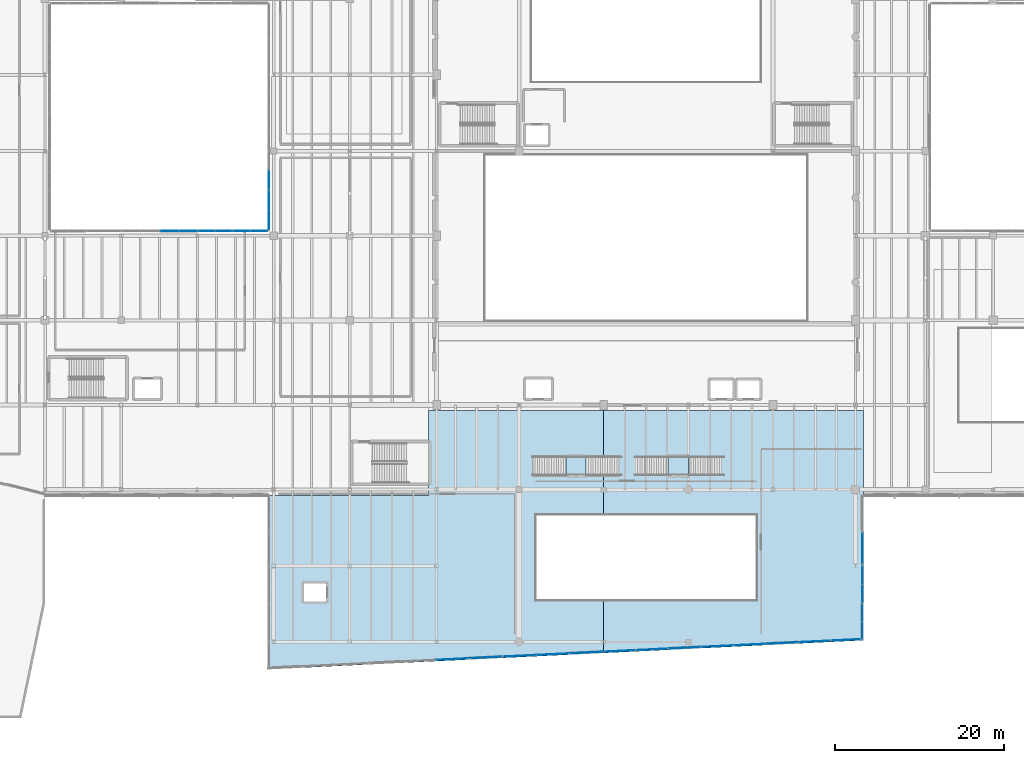
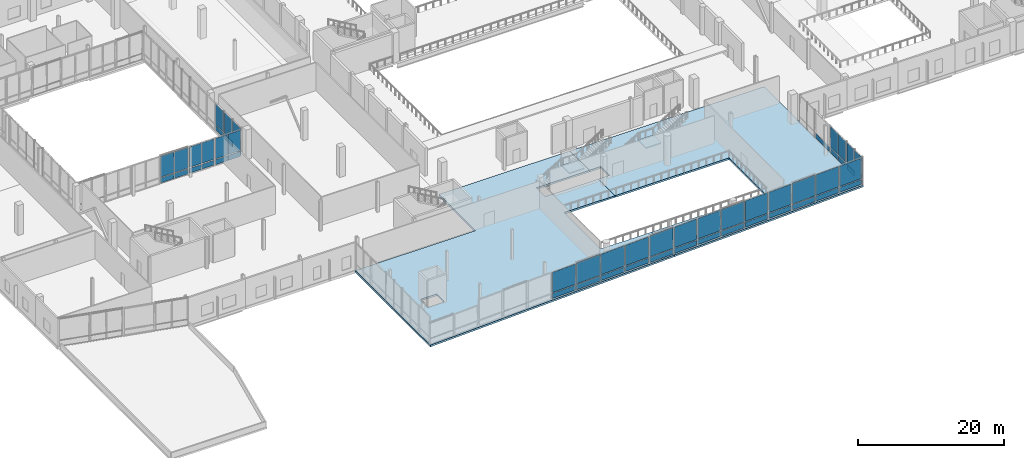
# One storey, part 52 of 81: 53 plates, 4 slabs, 23 elements without a shape of their own.
"""IFC4 building model written with IfcOpenShell, lengths in metres."""

from ifc_helpers import new_model, si_unit, direction, frame, origin, origin_2d, place, context, subcontext, project, spatial, polyline, rectangle, outline, extrude, material, layer, layer_set, type_object, element, aggregate, save


model = new_model("IFC4")

# Units and contexts
model_context = context("Model", 3, precision=1e-05, world=origin(), true_north=direction((0.0, 1.0)))
body_context = subcontext(model_context, "Body", "Model", "MODEL_VIEW")
ifc_project = project(units=[si_unit("LENGTHUNIT", "METRE"), si_unit("AREAUNIT", "SQUARE_METRE"), si_unit("VOLUMEUNIT", "CUBIC_METRE"), si_unit("PLANEANGLEUNIT", "RADIAN"), si_unit("MASSUNIT", "GRAM", prefix="KILO")], contexts=[model_context])

# Site, building, storey
site_placement = place(None, origin())
site = spatial("IfcSite", under=ifc_project, at=site_placement, CompositionType="ELEMENT")
building_placement = place(site_placement, origin())
building = spatial("IfcBuilding", under=site, at=building_placement, Name="Trimount Lyric Opera House", CompositionType="ELEMENT")
storey_placement = place(building_placement, frame((0.0, 0.0, 5.0)))
storey = spatial("IfcBuildingStorey", under=building, at=storey_placement, Name="L01", CompositionType="ELEMENT", Elevation=5.0)

# Curtain wall, plate
ifc_material_1 = material(Name="Thermally Broken Aluminium and Low-E Glass", Category="aluminium")
curtain_wall_type_1 = type_object("IfcCurtainWallType", Name="CW-01", PredefinedType="NOTDEFINED", material=ifc_material_1)
curtain_wall_1_placement = place(storey_placement, origin())
curtain_wall_1 = element("IfcCurtainWall", 1, at=curtain_wall_1_placement, inside=storey, type_object=curtain_wall_type_1, Name="L01 curtain wall 090", PredefinedType="NOTDEFINED")
ifc_material_2 = material(Name="Triple Low-E Acoustic Laminated Glass", Category="glass")
ifc_layer_1 = layer(ifc_material_2, 0.035888671875)
ifc_layer_set_1 = layer_set([ifc_layer_1], Name="CWP-01")
plate_type_1 = type_object("IfcPlateType", Name="CWP-01", PredefinedType="CURTAIN_PANEL", material=ifc_layer_set_1)
plate_1_placement = place(storey_placement, frame((114.5400390625, 37.074951171875, 0.159912109375), z_axis=(0.0, 0.0, 1.0), x_axis=(0.0, -1.0, 0.0)))
plate_1 = element("IfcPlate", 2, at=plate_1_placement, type_object=plate_type_1, Name="CW-01 panel 1.1", PredefinedType="CURTAIN_PANEL", context=body_context, shape_type="SweptSolid", body=[
    extrude(rectangle(XDim=3.85009765625, YDim=0.035888671875, at=origin_2d()), origin(), (0.0, 0.0, 1.0), 0.81005859375),
])
aggregate(curtain_wall_1, [plate_1])

# Curtain wall, plates
curtain_wall_2_placement = place(storey_placement, origin())
curtain_wall_2 = element("IfcCurtainWall", 3, at=curtain_wall_2_placement, inside=storey, type_object=curtain_wall_type_1, Name="L01 curtain wall 091", PredefinedType="NOTDEFINED")
plate_2_placement = place(storey_placement, frame((114.5400390625, 33.876220703125, 0.13525390625), z_axis=(0.0, 0.0, 1.0), x_axis=(0.0, -1.0, 0.0)))
plate_2 = element("IfcPlate", 4, at=plate_2_placement, type_object=plate_type_1, Name="CW-01 panel 1.1", PredefinedType="CURTAIN_PANEL", context=body_context, shape_type="SweptSolid", body=[
    extrude(rectangle(XDim=2.097412109375, YDim=0.035888671875, at=origin_2d()), origin(), (0.0, 0.0, 1.0), 0.847412109375),
])
plate_3_placement = place(storey_placement, frame((114.5400390625, 31.7138671875, 0.13525390625), z_axis=(0.0, 0.0, 1.0), x_axis=(0.0, -1.0, 0.0)))
plate_3 = element("IfcPlate", 5, at=plate_3_placement, type_object=plate_type_1, Name="CW-01 panel 2.1", PredefinedType="CURTAIN_PANEL", context=body_context, shape_type="SweptSolid", body=[
    extrude(rectangle(XDim=2.097412109375, YDim=0.035888671875, at=origin_2d()), origin(), (0.0, 0.0, 1.0), 0.847412109375),
])

curtain_wall_3_placement = place(storey_placement, origin())
curtain_wall_3 = element("IfcCurtainWall", 6, at=curtain_wall_3_placement, inside=storey, type_object=curtain_wall_type_1, Name="L01 curtain wall 092", PredefinedType="NOTDEFINED")
plate_4_placement = place(storey_placement, frame((114.5400390625, 29.41748046875, 0.114990234375), z_axis=(0.0, 0.0, 1.0), x_axis=(0.0, -1.0, 0.0)))
plate_4 = element("IfcPlate", 7, at=plate_4_placement, type_object=plate_type_1, Name="CW-01 panel 1.1", PredefinedType="CURTAIN_PANEL", context=body_context, shape_type="SweptSolid", body=[
    extrude(rectangle(XDim=2.06494140625, YDim=0.035888671875, at=origin_2d()), origin(), (0.0, 0.0, 1.0), 0.87744140625),
])
plate_5_placement = place(storey_placement, frame((114.5400390625, 27.29248046875, 0.114990234375), z_axis=(0.0, 0.0, 1.0), x_axis=(0.0, -1.0, 0.0)))
plate_5 = element("IfcPlate", 8, at=plate_5_placement, type_object=plate_type_1, Name="CW-01 panel 2.1", PredefinedType="CURTAIN_PANEL", context=body_context, shape_type="SweptSolid", body=[
    extrude(rectangle(XDim=2.06494140625, YDim=0.035888671875, at=origin_2d()), origin(), (0.0, 0.0, 1.0), 0.87744140625),
])

# Curtain wall, plate
curtain_wall_4_placement = place(storey_placement, origin())
curtain_wall_4 = element("IfcCurtainWall", 9, at=curtain_wall_4_placement, inside=storey, type_object=curtain_wall_type_1, Name="L01 curtain wall 093", PredefinedType="NOTDEFINED")
plate_6_placement = place(storey_placement, frame((112.64404296875, 26.240966796875, 0.159912109375), z_axis=(0.0, 0.0, 1.0), x_axis=(-0.998814975449, -0.048668725272, 0.0)))
plate_6 = element("IfcPlate", 10, at=plate_6_placement, type_object=plate_type_1, Name="CW-01 panel 1.1", PredefinedType="CURTAIN_PANEL", context=body_context, shape_type="SweptSolid", body=[
    extrude(rectangle(XDim=3.476318359375, YDim=0.035888671875, at=origin_2d()), origin(), (0.0, 0.0, 1.0), 0.81005859375),
])

curtain_wall_5_placement = place(storey_placement, origin())
curtain_wall_5 = element("IfcCurtainWall", 11, at=curtain_wall_5_placement, inside=storey, type_object=curtain_wall_type_1, Name="L01 curtain wall 094", PredefinedType="NOTDEFINED")
plate_7_placement = place(storey_placement, frame((108.87548828125, 26.056884765625, 0.13525390625), z_axis=(0.0, 0.0, 1.0), x_axis=(-0.99882119848, -0.048540843291, 0.0)))
plate_7 = element("IfcPlate", 12, at=plate_7_placement, type_object=plate_type_1, Name="CW-01 panel 1.1", PredefinedType="CURTAIN_PANEL", context=body_context, shape_type="SweptSolid", body=[
    extrude(rectangle(XDim=3.619384765625, YDim=0.035888671875, at=origin_2d()), origin(), (0.0, 0.0, 1.0), 0.847412109375),
])

curtain_wall_6_placement = place(storey_placement, origin())
curtain_wall_6 = element("IfcCurtainWall", 13, at=curtain_wall_6_placement, inside=storey, type_object=curtain_wall_type_1, Name="L01 curtain wall 095", PredefinedType="NOTDEFINED")
plate_8_placement = place(storey_placement, frame((105.04052734375, 25.869384765625, 0.114990234375), z_axis=(0.0, 0.0, 1.0), x_axis=(-0.998808232241, -0.048806917619, 0.0)))
plate_8 = element("IfcPlate", 14, at=plate_8_placement, type_object=plate_type_1, Name="CW-01 panel 1.1", PredefinedType="CURTAIN_PANEL", context=body_context, shape_type="SweptSolid", body=[
    extrude(rectangle(XDim=3.62939453125, YDim=0.035888671875, at=origin_2d()), origin(), (0.0, 0.0, 1.0), 0.87744140625),
])

curtain_wall_7_placement = place(storey_placement, origin())
curtain_wall_7 = element("IfcCurtainWall", 15, at=curtain_wall_7_placement, inside=storey, type_object=curtain_wall_type_1, Name="L01 curtain wall 096", PredefinedType="NOTDEFINED")
plate_9_placement = place(storey_placement, frame((101.20556640625, 25.6826171875, 0.159912109375), z_axis=(0.0, 0.0, 1.0), x_axis=(-0.998808232241, -0.048806917619, 0.0)))
plate_9 = element("IfcPlate", 16, at=plate_9_placement, type_object=plate_type_1, Name="CW-01 panel 1.1", PredefinedType="CURTAIN_PANEL", context=body_context, shape_type="SweptSolid", body=[
    extrude(rectangle(XDim=3.609375, YDim=0.035888671875, at=origin_2d()), origin(), (0.0, 0.0, 1.0), 0.81005859375),
])

curtain_wall_8_placement = place(storey_placement, origin())
curtain_wall_8 = element("IfcCurtainWall", 17, at=curtain_wall_8_placement, inside=storey, type_object=curtain_wall_type_1, Name="L01 curtain wall 097", PredefinedType="NOTDEFINED")
plate_10_placement = place(storey_placement, frame((97.37060546875, 25.49560546875, 0.13525390625), z_axis=(0.0, 0.0, 1.0), x_axis=(-0.998808232241, -0.048806917619, 0.0)))
plate_10 = element("IfcPlate", 18, at=plate_10_placement, type_object=plate_type_1, Name="CW-01 panel 1.1", PredefinedType="CURTAIN_PANEL", context=body_context, shape_type="SweptSolid", body=[
    extrude(rectangle(XDim=3.619384765625, YDim=0.035888671875, at=origin_2d()), origin(), (0.0, 0.0, 1.0), 0.847412109375),
])

curtain_wall_9_placement = place(storey_placement, origin())
curtain_wall_9 = element("IfcCurtainWall", 19, at=curtain_wall_9_placement, inside=storey, type_object=curtain_wall_type_1, Name="L01 curtain wall 098", PredefinedType="NOTDEFINED")
plate_11_placement = place(storey_placement, frame((93.535400390625, 25.30859375, 0.114990234375), z_axis=(0.0, 0.0, 1.0), x_axis=(-0.998808232241, -0.048806917619, 0.0)))
plate_11 = element("IfcPlate", 20, at=plate_11_placement, type_object=plate_type_1, Name="CW-01 panel 1.1", PredefinedType="CURTAIN_PANEL", context=body_context, shape_type="SweptSolid", body=[
    extrude(rectangle(XDim=3.62939453125, YDim=0.035888671875, at=origin_2d()), origin(), (0.0, 0.0, 1.0), 0.87744140625),
])

curtain_wall_10_placement = place(storey_placement, origin())
curtain_wall_10 = element("IfcCurtainWall", 21, at=curtain_wall_10_placement, inside=storey, type_object=curtain_wall_type_1, Name="L01 curtain wall 099", PredefinedType="NOTDEFINED")
plate_12_placement = place(storey_placement, frame((89.700439453125, 25.12158203125, 0.159912109375), z_axis=(0.0, 0.0, 1.0), x_axis=(-0.998808232241, -0.048806917619, 0.0)))
plate_12 = element("IfcPlate", 22, at=plate_12_placement, type_object=plate_type_1, Name="CW-01 panel 1.1", PredefinedType="CURTAIN_PANEL", context=body_context, shape_type="SweptSolid", body=[
    extrude(rectangle(XDim=3.609375, YDim=0.035888671875, at=origin_2d()), origin(), (0.0, 0.0, 1.0), 0.81005859375),
])

curtain_wall_11_placement = place(storey_placement, origin())
curtain_wall_11 = element("IfcCurtainWall", 23, at=curtain_wall_11_placement, inside=storey, type_object=curtain_wall_type_1, Name="L01 curtain wall 100", PredefinedType="NOTDEFINED")
plate_13_placement = place(storey_placement, frame((85.865478515625, 24.9345703125, 0.13525390625), z_axis=(0.0, 0.0, 1.0), x_axis=(-0.998808232241, -0.048806917619, 0.0)))
plate_13 = element("IfcPlate", 24, at=plate_13_placement, type_object=plate_type_1, Name="CW-01 panel 1.1", PredefinedType="CURTAIN_PANEL", context=body_context, shape_type="SweptSolid", body=[
    extrude(rectangle(XDim=3.619384765625, YDim=0.035888671875, at=origin_2d()), origin(), (0.0, 0.0, 1.0), 0.847412109375),
])

curtain_wall_12_placement = place(storey_placement, origin())
curtain_wall_12 = element("IfcCurtainWall", 25, at=curtain_wall_12_placement, inside=storey, type_object=curtain_wall_type_1, Name="L01 curtain wall 101", PredefinedType="NOTDEFINED")
plate_14_placement = place(storey_placement, frame((81.964111328125, 24.743408203125, 0.114990234375), z_axis=(0.0, 0.0, 1.0), x_axis=(-0.998814490119, -0.048678684537, 0.0)))
plate_14 = element("IfcPlate", 26, at=plate_14_placement, type_object=plate_type_1, Name="CW-01 panel 1.1", PredefinedType="CURTAIN_PANEL", context=body_context, shape_type="SweptSolid", body=[
    extrude(rectangle(XDim=3.7626953125, YDim=0.035888671875, at=origin_2d()), origin(), (0.0, 0.0, 1.0), 0.87744140625),
])

curtain_wall_13_placement = place(storey_placement, origin())
curtain_wall_13 = element("IfcCurtainWall", 27, at=curtain_wall_13_placement, inside=storey, type_object=curtain_wall_type_1, Name="L01 curtain wall 102", PredefinedType="NOTDEFINED")
plate_15_placement = place(storey_placement, frame((77.99609375, 24.550537109375, 0.159912109375), z_axis=(0.0, 0.0, 1.0), x_axis=(-0.998814490119, -0.048678684537, 0.0)))
plate_15 = element("IfcPlate", 28, at=plate_15_placement, type_object=plate_type_1, Name="CW-01 panel 1.1", PredefinedType="CURTAIN_PANEL", context=body_context, shape_type="SweptSolid", body=[
    extrude(rectangle(XDim=3.74267578125, YDim=0.035888671875, at=origin_2d()), origin(), (0.0, 0.0, 1.0), 0.81005859375),
])

curtain_wall_14_placement = place(storey_placement, origin())
curtain_wall_14 = element("IfcCurtainWall", 29, at=curtain_wall_14_placement, inside=storey, type_object=curtain_wall_type_1, Name="L01 curtain wall 103", PredefinedType="NOTDEFINED")
plate_16_placement = place(storey_placement, frame((74.028076171875, 24.3564453125, 0.13525390625), z_axis=(0.0, 0.0, 1.0), x_axis=(-0.998814490119, -0.048678684537, 0.0)))
plate_16 = element("IfcPlate", 30, at=plate_16_placement, type_object=plate_type_1, Name="CW-01 panel 1.1", PredefinedType="CURTAIN_PANEL", context=body_context, shape_type="SweptSolid", body=[
    extrude(rectangle(XDim=3.752685546875, YDim=0.035888671875, at=origin_2d()), origin(), (0.0, 0.0, 1.0), 0.847412109375),
])

curtain_wall_15_placement = place(storey_placement, origin())
curtain_wall_15 = element("IfcCurtainWall", 31, at=curtain_wall_15_placement, inside=storey, type_object=curtain_wall_type_1, Name="L01 curtain wall 104", PredefinedType="NOTDEFINED")
plate_17_placement = place(storey_placement, frame((70.06005859375, 24.1630859375, 0.114990234375), z_axis=(0.0, 0.0, 1.0), x_axis=(-0.998801934448, -0.048935628556, 0.0)))
plate_17 = element("IfcPlate", 32, at=plate_17_placement, type_object=plate_type_1, Name="CW-01 panel 1.1", PredefinedType="CURTAIN_PANEL", context=body_context, shape_type="SweptSolid", body=[
    extrude(rectangle(XDim=3.7626953125, YDim=0.035888671875, at=origin_2d()), origin(), (0.0, 0.0, 1.0), 0.87744140625),
])

curtain_wall_16_placement = place(storey_placement, origin())
curtain_wall_16 = element("IfcCurtainWall", 33, at=curtain_wall_16_placement, inside=storey, type_object=curtain_wall_type_1, Name="L01 curtain wall 105", PredefinedType="NOTDEFINED")
plate_18_placement = place(storey_placement, frame((66.092041015625, 23.969482421875, 0.159912109375), z_axis=(0.0, 0.0, 1.0), x_axis=(-0.998814490119, -0.048678684537, 0.0)))
plate_18 = element("IfcPlate", 34, at=plate_18_placement, type_object=plate_type_1, Name="CW-01 panel 1.1", PredefinedType="CURTAIN_PANEL", context=body_context, shape_type="SweptSolid", body=[
    extrude(rectangle(XDim=3.74267578125, YDim=0.035888671875, at=origin_2d()), origin(), (0.0, 0.0, 1.0), 0.81005859375),
])

# Curtain wall, plates
ifc_material_3 = material(Name="Thermally Broken Aluminium and Low-E Glass", Category="aluminium")
curtain_wall_type_2 = type_object("IfcCurtainWallType", Name="CW-03", PredefinedType="NOTDEFINED", material=ifc_material_3)
curtain_wall_17_placement = place(storey_placement, origin())
curtain_wall_17 = element("IfcCurtainWall", 35, at=curtain_wall_17_placement, inside=storey, type_object=curtain_wall_type_2, Name="L01 curtain wall 146", PredefinedType="NOTDEFINED")
plate_19_placement = place(storey_placement, frame((32.70751953125, 74.5400390625, 0.114990234375), z_axis=(0.0, 0.0, 1.0), x_axis=(1.0, 0.0, 0.0)))
plate_19 = element("IfcPlate", 36, at=plate_19_placement, type_object=plate_type_1, Name="CW-03 panel 1.1", PredefinedType="CURTAIN_PANEL", context=body_context, shape_type="SweptSolid", body=[
    extrude(rectangle(XDim=2.114990234375, YDim=0.035888671875, at=origin_2d()), origin(), (0.0, 0.0, 1.0), 0.87744140625),
])
plate_20_placement = place(storey_placement, frame((34.882568359375, 74.5400390625, 0.114990234375), z_axis=(0.0, 0.0, 1.0), x_axis=(1.0, 0.0, 0.0)))
plate_20 = element("IfcPlate", 37, at=plate_20_placement, type_object=plate_type_1, Name="CW-03 panel 2.1", PredefinedType="CURTAIN_PANEL", context=body_context, shape_type="SweptSolid", body=[
    extrude(rectangle(XDim=2.114990234375, YDim=0.035888671875, at=origin_2d()), origin(), (0.0, 0.0, 1.0), 0.87744140625),
])

curtain_wall_18_placement = place(storey_placement, origin())
curtain_wall_18 = element("IfcCurtainWall", 38, at=curtain_wall_18_placement, inside=storey, type_object=curtain_wall_type_2, Name="L01 curtain wall 147", PredefinedType="NOTDEFINED")
plate_21_placement = place(storey_placement, frame((37.125, 74.5400390625, 0.159912109375), z_axis=(0.0, 0.0, 1.0), x_axis=(1.0, 0.0, 0.0)))
plate_21 = element("IfcPlate", 39, at=plate_21_placement, type_object=plate_type_1, Name="CW-03 panel 1.1", PredefinedType="CURTAIN_PANEL", context=body_context, shape_type="SweptSolid", body=[
    extrude(rectangle(XDim=1.929931640625, YDim=0.035888671875, at=origin_2d()), origin(), (0.0, 0.0, 1.0), 0.81005859375),
])
plate_22_placement = place(storey_placement, frame((39.125, 74.5400390625, 0.159912109375), z_axis=(0.0, 0.0, 1.0), x_axis=(1.0, 0.0, 0.0)))
plate_22 = element("IfcPlate", 40, at=plate_22_placement, type_object=plate_type_1, Name="CW-03 panel 2.1", PredefinedType="CURTAIN_PANEL", context=body_context, shape_type="SweptSolid", body=[
    extrude(rectangle(XDim=1.929931640625, YDim=0.035888671875, at=origin_2d()), origin(), (0.0, 0.0, 1.0), 0.81005859375),
])

curtain_wall_19_placement = place(storey_placement, origin())
curtain_wall_19 = element("IfcCurtainWall", 41, at=curtain_wall_19_placement, inside=storey, type_object=curtain_wall_type_2, Name="L01 curtain wall 148", PredefinedType="NOTDEFINED")
plate_23_placement = place(storey_placement, frame((41.28369140625, 74.5400390625, 0.13525390625), z_axis=(0.0, 0.0, 1.0), x_axis=(1.0, 0.0, 0.0)))
plate_23 = element("IfcPlate", 42, at=plate_23_placement, type_object=plate_type_1, Name="CW-03 panel 1.1", PredefinedType="CURTAIN_PANEL", context=body_context, shape_type="SweptSolid", body=[
    extrude(rectangle(XDim=1.9375, YDim=0.035888671875, at=origin_2d()), origin(), (0.0, 0.0, 1.0), 0.847412109375),
])
plate_24_placement = place(storey_placement, frame((43.2861328125, 74.5400390625, 0.13525390625), z_axis=(0.0, 0.0, 1.0), x_axis=(1.0, 0.0, 0.0)))
plate_24 = element("IfcPlate", 43, at=plate_24_placement, type_object=plate_type_1, Name="CW-03 panel 2.1", PredefinedType="CURTAIN_PANEL", context=body_context, shape_type="SweptSolid", body=[
    extrude(rectangle(XDim=1.9375, YDim=0.035888671875, at=origin_2d()), origin(), (0.0, 0.0, 1.0), 0.847412109375),
])

curtain_wall_20_placement = place(storey_placement, origin())
curtain_wall_20 = element("IfcCurtainWall", 44, at=curtain_wall_20_placement, inside=storey, type_object=curtain_wall_type_2, Name="L01 curtain wall 149", PredefinedType="NOTDEFINED")
plate_25_placement = place(storey_placement, frame((44.4599609375, 75.860107421875, 0.114990234375), z_axis=(0.0, 0.0, 1.0), x_axis=(0.0, 1.0, 0.0)))
plate_25 = element("IfcPlate", 45, at=plate_25_placement, type_object=plate_type_1, Name="CW-03 panel 1.1", PredefinedType="CURTAIN_PANEL", context=body_context, shape_type="SweptSolid", body=[
    extrude(rectangle(XDim=2.239990234375, YDim=0.035888671875, at=origin_2d()), origin(), (0.0, 0.0, 1.0), 0.87744140625),
])
plate_26_placement = place(storey_placement, frame((44.4599609375, 78.159912109375, 0.114990234375), z_axis=(0.0, 0.0, 1.0), x_axis=(0.0, 1.0, 0.0)))
plate_26 = element("IfcPlate", 46, at=plate_26_placement, type_object=plate_type_1, Name="CW-03 panel 2.1", PredefinedType="CURTAIN_PANEL", context=body_context, shape_type="SweptSolid", body=[
    extrude(rectangle(XDim=2.239990234375, YDim=0.035888671875, at=origin_2d()), origin(), (0.0, 0.0, 1.0), 0.87744140625),
])

# Curtain wall, plate
curtain_wall_21_placement = place(storey_placement, origin())
curtain_wall_21 = element("IfcCurtainWall", 47, at=curtain_wall_21_placement, inside=storey, type_object=curtain_wall_type_2, Name="L01 curtain wall 150", PredefinedType="NOTDEFINED")
plate_27_placement = place(storey_placement, frame((44.4599609375, 80.590087890625, 0.159912109375), z_axis=(0.0, 0.0, 1.0), x_axis=(0.0, 1.0, 0.0)))
plate_27 = element("IfcPlate", 48, at=plate_27_placement, type_object=plate_type_1, Name="CW-03 panel 1.1", PredefinedType="CURTAIN_PANEL", context=body_context, shape_type="SweptSolid", body=[
    extrude(rectangle(XDim=2.179931640625, YDim=0.035888671875, at=origin_2d()), origin(), (0.0, 0.0, 1.0), 0.81005859375),
])

# Plate
ifc_material_4 = material(Name="Insulated Aluminium Shadow-Box Spandrel Panel", Category="aluminium")
ifc_layer_2 = layer(ifc_material_4, 0.0419921875)
ifc_layer_set_2 = layer_set([ifc_layer_2], Name="CWP-04")
plate_type_2 = type_object("IfcPlateType", Name="CWP-04", PredefinedType="CURTAIN_PANEL", material=ifc_layer_set_2)
plate_28_placement = place(storey_placement, frame((114.5400390625, 33.876220703125, 1.11767578125), z_axis=(0.0, 0.0, 1.0), x_axis=(0.0, -1.0, 0.0)))
plate_28 = element("IfcPlate", 49, at=plate_28_placement, type_object=plate_type_2, Name="CW-01 panel 1.2", PredefinedType="CURTAIN_PANEL", context=body_context, shape_type="SweptSolid", body=[
    extrude(rectangle(XDim=2.097412109375, YDim=0.035888671875, at=origin_2d()), origin(), (0.0, 0.0, 1.0), 3.427490234375),
])

plate_29_placement = place(storey_placement, frame((114.5400390625, 31.7138671875, 1.11767578125), z_axis=(0.0, 0.0, 1.0), x_axis=(0.0, -1.0, 0.0)))
plate_29 = element("IfcPlate", 50, at=plate_29_placement, type_object=plate_type_2, Name="CW-01 panel 2.2", PredefinedType="CURTAIN_PANEL", context=body_context, shape_type="SweptSolid", body=[
    extrude(rectangle(XDim=2.097412109375, YDim=0.035888671875, at=origin_2d()), origin(), (0.0, 0.0, 1.0), 3.427490234375),
])

aggregate(curtain_wall_2, [plate_2, plate_28, plate_3, plate_29])

plate_30_placement = place(storey_placement, frame((114.5400390625, 29.41748046875, 1.107421875), z_axis=(0.0, 0.0, 1.0), x_axis=(0.0, -1.0, 0.0)))
plate_30 = element("IfcPlate", 51, at=plate_30_placement, type_object=plate_type_2, Name="CW-01 panel 1.2", PredefinedType="CURTAIN_PANEL", context=body_context, shape_type="SweptSolid", body=[
    extrude(rectangle(XDim=2.06494140625, YDim=0.035888671875, at=origin_2d()), origin(), (0.0, 0.0, 1.0), 3.45751953125),
])

plate_31_placement = place(storey_placement, frame((114.5400390625, 27.29248046875, 1.107421875), z_axis=(0.0, 0.0, 1.0), x_axis=(0.0, -1.0, 0.0)))
plate_31 = element("IfcPlate", 52, at=plate_31_placement, type_object=plate_type_2, Name="CW-01 panel 2.2", PredefinedType="CURTAIN_PANEL", context=body_context, shape_type="SweptSolid", body=[
    extrude(rectangle(XDim=2.06494140625, YDim=0.035888671875, at=origin_2d()), origin(), (0.0, 0.0, 1.0), 3.45751953125),
])

aggregate(curtain_wall_3, [plate_4, plate_30, plate_5, plate_31])

plate_32_placement = place(storey_placement, frame((112.64404296875, 26.240966796875, 1.1298828125), z_axis=(0.0, 0.0, 1.0), x_axis=(-0.998814975449, -0.048668725272, 0.0)))
plate_32 = element("IfcPlate", 53, at=plate_32_placement, type_object=plate_type_2, Name="CW-01 panel 1.2", PredefinedType="CURTAIN_PANEL", context=body_context, shape_type="SweptSolid", body=[
    extrude(rectangle(XDim=3.476318359375, YDim=0.035888671875, at=origin_2d()), origin(), (0.0, 0.0, 1.0), 3.389892578125),
])

aggregate(curtain_wall_4, [plate_6, plate_32])

plate_33_placement = place(storey_placement, frame((108.87548828125, 26.056884765625, 1.11767578125), z_axis=(0.0, 0.0, 1.0), x_axis=(-0.99882119848, -0.048540843291, 0.0)))
plate_33 = element("IfcPlate", 54, at=plate_33_placement, type_object=plate_type_2, Name="CW-01 panel 1.2", PredefinedType="CURTAIN_PANEL", context=body_context, shape_type="SweptSolid", body=[
    extrude(rectangle(XDim=3.619384765625, YDim=0.035888671875, at=origin_2d()), origin(), (0.0, 0.0, 1.0), 3.427490234375),
])

aggregate(curtain_wall_5, [plate_7, plate_33])

plate_34_placement = place(storey_placement, frame((105.04052734375, 25.869384765625, 1.107421875), z_axis=(0.0, 0.0, 1.0), x_axis=(-0.998808232241, -0.048806917619, 0.0)))
plate_34 = element("IfcPlate", 55, at=plate_34_placement, type_object=plate_type_2, Name="CW-01 panel 1.2", PredefinedType="CURTAIN_PANEL", context=body_context, shape_type="SweptSolid", body=[
    extrude(rectangle(XDim=3.62939453125, YDim=0.035888671875, at=origin_2d()), origin(), (0.0, 0.0, 1.0), 3.45751953125),
])

aggregate(curtain_wall_6, [plate_8, plate_34])

plate_35_placement = place(storey_placement, frame((101.20556640625, 25.6826171875, 1.1298828125), z_axis=(0.0, 0.0, 1.0), x_axis=(-0.998808232241, -0.048806917619, 0.0)))
plate_35 = element("IfcPlate", 56, at=plate_35_placement, type_object=plate_type_2, Name="CW-01 panel 1.2", PredefinedType="CURTAIN_PANEL", context=body_context, shape_type="SweptSolid", body=[
    extrude(rectangle(XDim=3.609375, YDim=0.035888671875, at=origin_2d()), origin(), (0.0, 0.0, 1.0), 3.389892578125),
])

aggregate(curtain_wall_7, [plate_9, plate_35])

plate_36_placement = place(storey_placement, frame((97.37060546875, 25.49560546875, 1.11767578125), z_axis=(0.0, 0.0, 1.0), x_axis=(-0.998808232241, -0.048806917619, 0.0)))
plate_36 = element("IfcPlate", 57, at=plate_36_placement, type_object=plate_type_2, Name="CW-01 panel 1.2", PredefinedType="CURTAIN_PANEL", context=body_context, shape_type="SweptSolid", body=[
    extrude(rectangle(XDim=3.619384765625, YDim=0.035888671875, at=origin_2d()), origin(), (0.0, 0.0, 1.0), 3.427490234375),
])

aggregate(curtain_wall_8, [plate_10, plate_36])

plate_37_placement = place(storey_placement, frame((93.535400390625, 25.30859375, 1.107421875), z_axis=(0.0, 0.0, 1.0), x_axis=(-0.998808232241, -0.048806917619, 0.0)))
plate_37 = element("IfcPlate", 58, at=plate_37_placement, type_object=plate_type_2, Name="CW-01 panel 1.2", PredefinedType="CURTAIN_PANEL", context=body_context, shape_type="SweptSolid", body=[
    extrude(rectangle(XDim=3.62939453125, YDim=0.035888671875, at=origin_2d()), origin(), (0.0, 0.0, 1.0), 3.45751953125),
])

aggregate(curtain_wall_9, [plate_11, plate_37])

plate_38_placement = place(storey_placement, frame((89.700439453125, 25.12158203125, 1.1298828125), z_axis=(0.0, 0.0, 1.0), x_axis=(-0.998808232241, -0.048806917619, 0.0)))
plate_38 = element("IfcPlate", 59, at=plate_38_placement, type_object=plate_type_2, Name="CW-01 panel 1.2", PredefinedType="CURTAIN_PANEL", context=body_context, shape_type="SweptSolid", body=[
    extrude(rectangle(XDim=3.609375, YDim=0.035888671875, at=origin_2d()), origin(), (0.0, 0.0, 1.0), 3.389892578125),
])

aggregate(curtain_wall_10, [plate_12, plate_38])

plate_39_placement = place(storey_placement, frame((85.865478515625, 24.9345703125, 1.11767578125), z_axis=(0.0, 0.0, 1.0), x_axis=(-0.998808232241, -0.048806917619, 0.0)))
plate_39 = element("IfcPlate", 60, at=plate_39_placement, type_object=plate_type_2, Name="CW-01 panel 1.2", PredefinedType="CURTAIN_PANEL", context=body_context, shape_type="SweptSolid", body=[
    extrude(rectangle(XDim=3.619384765625, YDim=0.035888671875, at=origin_2d()), origin(), (0.0, 0.0, 1.0), 3.427490234375),
])

aggregate(curtain_wall_11, [plate_13, plate_39])

plate_40_placement = place(storey_placement, frame((81.964111328125, 24.743408203125, 1.107421875), z_axis=(0.0, 0.0, 1.0), x_axis=(-0.998814490119, -0.048678684537, 0.0)))
plate_40 = element("IfcPlate", 61, at=plate_40_placement, type_object=plate_type_2, Name="CW-01 panel 1.2", PredefinedType="CURTAIN_PANEL", context=body_context, shape_type="SweptSolid", body=[
    extrude(rectangle(XDim=3.7626953125, YDim=0.035888671875, at=origin_2d()), origin(), (0.0, 0.0, 1.0), 3.45751953125),
])

aggregate(curtain_wall_12, [plate_14, plate_40])

plate_41_placement = place(storey_placement, frame((77.99609375, 24.550537109375, 1.1298828125), z_axis=(0.0, 0.0, 1.0), x_axis=(-0.998814490119, -0.048678684537, 0.0)))
plate_41 = element("IfcPlate", 62, at=plate_41_placement, type_object=plate_type_2, Name="CW-01 panel 1.2", PredefinedType="CURTAIN_PANEL", context=body_context, shape_type="SweptSolid", body=[
    extrude(rectangle(XDim=3.74267578125, YDim=0.035888671875, at=origin_2d()), origin(), (0.0, 0.0, 1.0), 3.389892578125),
])

aggregate(curtain_wall_13, [plate_15, plate_41])

plate_42_placement = place(storey_placement, frame((74.028076171875, 24.3564453125, 1.11767578125), z_axis=(0.0, 0.0, 1.0), x_axis=(-0.998814490119, -0.048678684537, 0.0)))
plate_42 = element("IfcPlate", 63, at=plate_42_placement, type_object=plate_type_2, Name="CW-01 panel 1.2", PredefinedType="CURTAIN_PANEL", context=body_context, shape_type="SweptSolid", body=[
    extrude(rectangle(XDim=3.752685546875, YDim=0.035888671875, at=origin_2d()), origin(), (0.0, 0.0, 1.0), 3.427490234375),
])

aggregate(curtain_wall_14, [plate_16, plate_42])

plate_43_placement = place(storey_placement, frame((70.06005859375, 24.1630859375, 1.107421875), z_axis=(0.0, 0.0, 1.0), x_axis=(-0.998801934448, -0.048935628556, 0.0)))
plate_43 = element("IfcPlate", 64, at=plate_43_placement, type_object=plate_type_2, Name="CW-01 panel 1.2", PredefinedType="CURTAIN_PANEL", context=body_context, shape_type="SweptSolid", body=[
    extrude(rectangle(XDim=3.7626953125, YDim=0.035888671875, at=origin_2d()), origin(), (0.0, 0.0, 1.0), 3.45751953125),
])

aggregate(curtain_wall_15, [plate_17, plate_43])

plate_44_placement = place(storey_placement, frame((66.092041015625, 23.969482421875, 1.1298828125), z_axis=(0.0, 0.0, 1.0), x_axis=(-0.998814490119, -0.048678684537, 0.0)))
plate_44 = element("IfcPlate", 65, at=plate_44_placement, type_object=plate_type_2, Name="CW-01 panel 1.2", PredefinedType="CURTAIN_PANEL", context=body_context, shape_type="SweptSolid", body=[
    extrude(rectangle(XDim=3.74267578125, YDim=0.035888671875, at=origin_2d()), origin(), (0.0, 0.0, 1.0), 3.360107421875),
])

aggregate(curtain_wall_16, [plate_18, plate_44])

plate_45_placement = place(storey_placement, frame((32.70751953125, 74.5400390625, 1.107421875), z_axis=(0.0, 0.0, 1.0), x_axis=(1.0, 0.0, 0.0)))
plate_45 = element("IfcPlate", 66, at=plate_45_placement, type_object=plate_type_2, Name="CW-03 panel 1.2", PredefinedType="CURTAIN_PANEL", context=body_context, shape_type="SweptSolid", body=[
    extrude(rectangle(XDim=2.114990234375, YDim=0.035888671875, at=origin_2d()), origin(), (0.0, 0.0, 1.0), 3.45751953125),
])

plate_46_placement = place(storey_placement, frame((34.882568359375, 74.5400390625, 1.107421875), z_axis=(0.0, 0.0, 1.0), x_axis=(1.0, 0.0, 0.0)))
plate_46 = element("IfcPlate", 67, at=plate_46_placement, type_object=plate_type_2, Name="CW-03 panel 2.2", PredefinedType="CURTAIN_PANEL", context=body_context, shape_type="SweptSolid", body=[
    extrude(rectangle(XDim=2.114990234375, YDim=0.035888671875, at=origin_2d()), origin(), (0.0, 0.0, 1.0), 3.45751953125),
])

aggregate(curtain_wall_17, [plate_19, plate_45, plate_20, plate_46])

plate_47_placement = place(storey_placement, frame((37.125, 74.5400390625, 1.1298828125), z_axis=(0.0, 0.0, 1.0), x_axis=(1.0, 0.0, 0.0)))
plate_47 = element("IfcPlate", 68, at=plate_47_placement, type_object=plate_type_2, Name="CW-03 panel 1.2", PredefinedType="CURTAIN_PANEL", context=body_context, shape_type="SweptSolid", body=[
    extrude(rectangle(XDim=1.929931640625, YDim=0.035888671875, at=origin_2d()), origin(), (0.0, 0.0, 1.0), 3.389892578125),
])

plate_48_placement = place(storey_placement, frame((39.125, 74.5400390625, 1.1298828125), z_axis=(0.0, 0.0, 1.0), x_axis=(1.0, 0.0, 0.0)))
plate_48 = element("IfcPlate", 69, at=plate_48_placement, type_object=plate_type_2, Name="CW-03 panel 2.2", PredefinedType="CURTAIN_PANEL", context=body_context, shape_type="SweptSolid", body=[
    extrude(rectangle(XDim=1.929931640625, YDim=0.035888671875, at=origin_2d()), origin(), (0.0, 0.0, 1.0), 3.389892578125),
])

aggregate(curtain_wall_18, [plate_21, plate_47, plate_22, plate_48])

plate_49_placement = place(storey_placement, frame((41.28369140625, 74.5400390625, 1.11767578125), z_axis=(0.0, 0.0, 1.0), x_axis=(1.0, 0.0, 0.0)))
plate_49 = element("IfcPlate", 70, at=plate_49_placement, type_object=plate_type_2, Name="CW-03 panel 1.2", PredefinedType="CURTAIN_PANEL", context=body_context, shape_type="SweptSolid", body=[
    extrude(rectangle(XDim=1.9375, YDim=0.035888671875, at=origin_2d()), origin(), (0.0, 0.0, 1.0), 3.427490234375),
])

plate_50_placement = place(storey_placement, frame((43.2861328125, 74.5400390625, 1.11767578125), z_axis=(0.0, 0.0, 1.0), x_axis=(1.0, 0.0, 0.0)))
plate_50 = element("IfcPlate", 71, at=plate_50_placement, type_object=plate_type_2, Name="CW-03 panel 2.2", PredefinedType="CURTAIN_PANEL", context=body_context, shape_type="SweptSolid", body=[
    extrude(rectangle(XDim=1.9375, YDim=0.035888671875, at=origin_2d()), origin(), (0.0, 0.0, 1.0), 3.427490234375),
])

aggregate(curtain_wall_19, [plate_23, plate_49, plate_24, plate_50])

plate_51_placement = place(storey_placement, frame((44.4599609375, 75.860107421875, 1.107421875), z_axis=(0.0, 0.0, 1.0), x_axis=(0.0, 1.0, 0.0)))
plate_51 = element("IfcPlate", 72, at=plate_51_placement, type_object=plate_type_2, Name="CW-03 panel 1.2", PredefinedType="CURTAIN_PANEL", context=body_context, shape_type="SweptSolid", body=[
    extrude(rectangle(XDim=2.239990234375, YDim=0.035888671875, at=origin_2d()), origin(), (0.0, 0.0, 1.0), 3.45751953125),
])

plate_52_placement = place(storey_placement, frame((44.4599609375, 78.159912109375, 1.107421875), z_axis=(0.0, 0.0, 1.0), x_axis=(0.0, 1.0, 0.0)))
plate_52 = element("IfcPlate", 73, at=plate_52_placement, type_object=plate_type_2, Name="CW-03 panel 2.2", PredefinedType="CURTAIN_PANEL", context=body_context, shape_type="SweptSolid", body=[
    extrude(rectangle(XDim=2.239990234375, YDim=0.035888671875, at=origin_2d()), origin(), (0.0, 0.0, 1.0), 3.45751953125),
])

aggregate(curtain_wall_20, [plate_25, plate_51, plate_26, plate_52])

plate_53_placement = place(storey_placement, frame((44.4599609375, 80.590087890625, 1.1298828125), z_axis=(0.0, 0.0, 1.0), x_axis=(0.0, 1.0, 0.0)))
plate_53 = element("IfcPlate", 74, at=plate_53_placement, type_object=plate_type_2, Name="CW-03 panel 1.2", PredefinedType="CURTAIN_PANEL", context=body_context, shape_type="SweptSolid", body=[
    extrude(rectangle(XDim=2.179931640625, YDim=0.035888671875, at=origin_2d()), origin(), (0.0, 0.0, 1.0), 3.389892578125),
])

aggregate(curtain_wall_21, [plate_27, plate_53])

# Slabs
ifc_material_5 = material(Name="Concrete C40/50", Category="concrete")
ifc_layer_3 = layer(ifc_material_5, 0.300048828125)
ifc_layer_set_3 = layer_set([ifc_layer_3], Name="SL-FL300")
slab_type_1 = type_object("IfcSlabType", Name="SL-FL300", PredefinedType="FLOOR", material=ifc_layer_set_3)
slab_1_placement = place(storey_placement, frame((0.0, 0.0, -0.300048828125)))
element("IfcSlab", 75, at=slab_1_placement, inside=storey, type_object=slab_type_1, Name="L01 floor slab L01-CONC-W", PredefinedType="FLOOR", context=body_context, shape_type="SweptSolid", body=[
    extrude(outline(polyline([(44.320068359375, 43.320068359375), (63.320068359375, 43.320068359375), (63.320068359375, 53.320068359375), (84.0, 53.320068359375), (84.0, 48.0), (75.64990234375, 48.0), (75.64990234375, 45.60009765625), (84.0, 45.60009765625), (84.0, 41.0), (76.0, 41.0), (76.0, 31.0), (84.0, 31.0), (84.0, 24.702880859375), (44.320068359375, 22.766845703125), (44.320068359375, 43.320068359375)]), holes=[polyline([(51.199951171875, 32.89990234375), (48.60009765625, 32.89990234375), (48.60009765625, 30.800048828125), (51.199951171875, 30.800048828125), (51.199951171875, 32.89990234375)])]), origin(), (0.0, 0.0, 1.0), 0.300048828125),
])
slab_2_placement = place(storey_placement, frame((0.0, 0.0, -0.300048828125)))
element("IfcSlab", 76, at=slab_2_placement, inside=storey, type_object=slab_type_1, Name="L01 floor slab L01-CONC-E", PredefinedType="FLOOR", context=body_context, shape_type="SweptSolid", body=[
    extrude(outline(polyline([(114.679931640625, 26.199951171875), (84.0, 24.702880859375), (84.0, 31.0), (102.0, 31.0), (102.0, 41.0), (84.0, 41.0), (84.0, 45.60009765625), (85.7900390625, 45.60009765625), (85.7900390625, 48.0), (84.0, 48.0), (84.0, 53.320068359375), (114.679931640625, 53.320068359375), (114.679931640625, 26.199951171875)])), origin(), (0.0, 0.0, 1.0), 0.300048828125),
])

# Stair, slab
ifc_material_6 = material(Name="Steel ASTM A36", Category="steel")
stair_type = type_object("IfcStairType", Name="STR-FOY-2", PredefinedType="STRAIGHT_RUN_STAIR", material=ifc_material_6)
stair_1_placement = place(storey_placement, origin())
stair_1 = element("IfcStair", 77, at=stair_1_placement, inside=storey, type_object=stair_type, Name="Winter-Garden Upper Promenade Stair", PredefinedType="STRAIGHT_RUN_STAIR")
ifc_material_7 = material(Name="Concrete C40/50", Category="concrete")
ifc_layer_4 = layer(ifc_material_7, 0.199951171875)
ifc_layer_set_4 = layer_set([ifc_layer_4], Name="SL-LND200")
slab_type_2 = type_object("IfcSlabType", Name="SL-LND200", PredefinedType="LANDING", material=ifc_layer_set_4)
slab_3_placement = place(storey_placement, frame((0.0, 0.0, 2.300048828125)))
slab_3 = element("IfcSlab", 78, at=slab_3_placement, type_object=slab_type_2, Name="FS-03 landing 1", PredefinedType="LANDING", context=body_context, shape_type="SweptSolid", body=[
    extrude(outline(polyline([(79.52001953125, 45.699951171875), (81.919921875, 45.699951171875), (81.919921875, 47.89990234375), (79.52001953125, 47.89990234375), (79.52001953125, 45.699951171875)])), origin(), (0.0, 0.0, 1.0), 0.199951171875),
])
aggregate(stair_1, [slab_3])

stair_2_placement = place(storey_placement, origin())
stair_2 = element("IfcStair", 79, at=stair_2_placement, inside=storey, type_object=stair_type, Name="Winter-Garden East Promenade Stair", PredefinedType="STRAIGHT_RUN_STAIR")
slab_4_placement = place(storey_placement, frame((0.0, 0.0, 2.300048828125)))
slab_4 = element("IfcSlab", 80, at=slab_4_placement, type_object=slab_type_2, Name="FS-05 landing 1", PredefinedType="LANDING", context=body_context, shape_type="SweptSolid", body=[
    extrude(outline(polyline([(91.6201171875, 45.699951171875), (94.02001953125, 45.699951171875), (94.02001953125, 47.89990234375), (91.6201171875, 47.89990234375), (91.6201171875, 45.699951171875)])), origin(), (0.0, 0.0, 1.0), 0.199951171875),
])
aggregate(stair_2, [slab_4])

save(model, "model.ifc")
